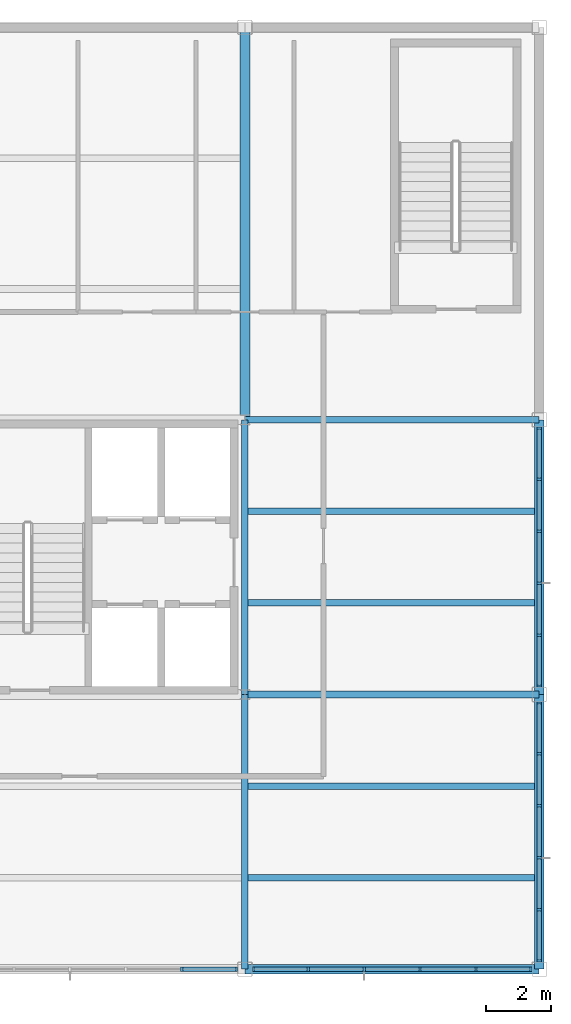
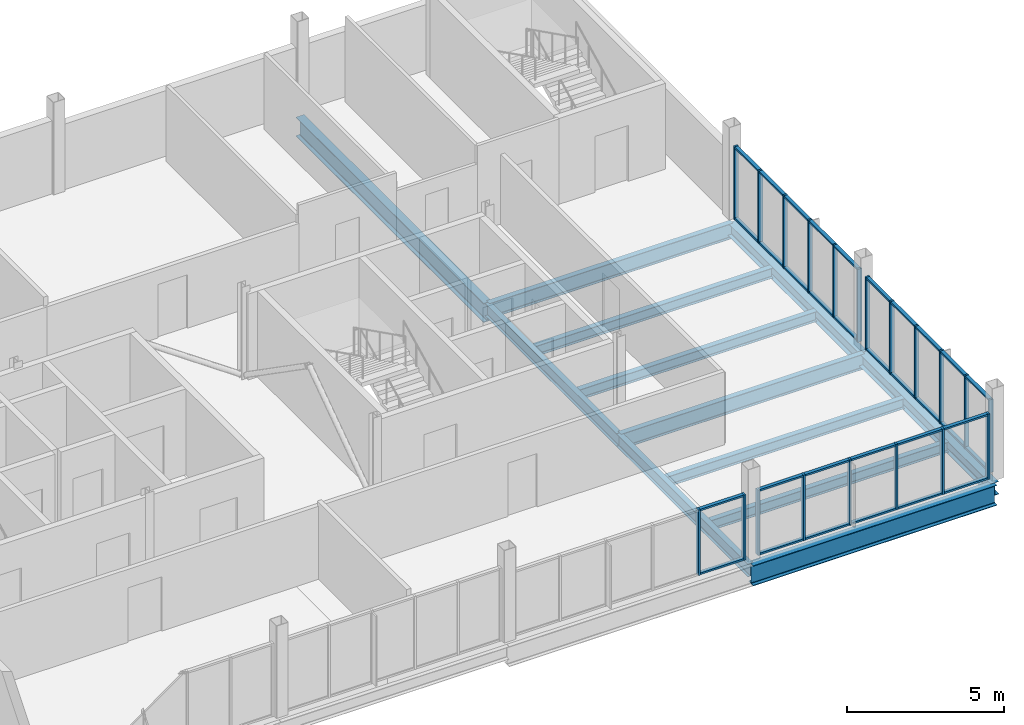
# One storey, part 6 of 14: 52 members, 12 beams, 4 elements without a shape of their own.
"""IFC4 building model written with IfcOpenShell, lengths in metres."""

from ifc_helpers import new_model, si_unit, direction, frame, origin, origin_2d, place, context, subcontext, project, spatial, rectangle, i_section, extrude, material, layer, layer_set, material_profile, profile_set, type_object, element, aggregate, save


model = new_model("IFC4")

# Units and contexts
model_context = context("Model", 3, precision=1e-05, world=origin(), true_north=direction((0.0, 1.0)))
body_context = subcontext(model_context, "Body", "Model", "MODEL_VIEW")
ifc_project = project(units=[si_unit("LENGTHUNIT", "METRE"), si_unit("AREAUNIT", "SQUARE_METRE"), si_unit("VOLUMEUNIT", "CUBIC_METRE"), si_unit("PLANEANGLEUNIT", "RADIAN"), si_unit("MASSUNIT", "GRAM", prefix="KILO")], contexts=[model_context])

# Site, building, storey
site_placement = place(None, origin())
site = spatial("IfcSite", under=ifc_project, at=site_placement, CompositionType="ELEMENT")
building_placement = place(site_placement, origin())
building = spatial("IfcBuilding", under=site, at=building_placement, Name="Yukiwa Park Conservatory and Herbarium", CompositionType="ELEMENT")
storey_placement = place(building_placement, frame((0.0, 0.0, 50.39990234375)))
storey = spatial("IfcBuildingStorey", under=building, at=storey_placement, Name="L13", CompositionType="ELEMENT", Elevation=50.39990234375)

# Beams
ifc_material_1 = material(Name="Steel Q355D", Category="steel")
ifc_material_profile_1 = material_profile(ifc_material_1, i_section(OverallWidth=0.199951171875, OverallDepth=0.5, WebThickness=0.010009765625, FlangeThickness=0.01611328125, FilletRadius=0.02001953125, at=origin_2d()), Name="HN 500x200x10x16")
ifc_profile_set_1 = profile_set([ifc_material_profile_1], Name="Steel Q355D")
beam_type_1 = type_object("IfcBeamType", Name="BM-GRD-HN500", PredefinedType="BEAM", material=ifc_profile_set_1)
beam_1_placement = place(storey_placement, frame((159.0, 86.406005859375, -0.511962890625), z_axis=(0.0, 1.0, 0.0), x_axis=(-1.0, 0.0, 0.0)))
element("IfcBeam", 1, at=beam_1_placement, inside=storey, type_object=beam_type_1, Name="L13 grid girder Y-32", PredefinedType="BEAM", context=body_context, shape_type="SweptSolid", body=[
    extrude(i_section(OverallWidth=0.199951171875, OverallDepth=0.5, WebThickness=0.010009765625, FlangeThickness=0.01611328125, FilletRadius=0.02001953125, at=origin_2d()), origin(), (0.0, 0.0, 1.0), 8.387939453125),
])
beam_2_placement = place(storey_placement, frame((159.0, 94.805908203125, -0.511962890625), z_axis=(0.0, 1.0, 0.0), x_axis=(-1.0, 0.0, 0.0)))
element("IfcBeam", 2, at=beam_2_placement, inside=storey, type_object=beam_type_1, Name="L13 grid girder Y-33", PredefinedType="BEAM", context=body_context, shape_type="SweptSolid", body=[
    extrude(i_section(OverallWidth=0.199951171875, OverallDepth=0.5, WebThickness=0.010009765625, FlangeThickness=0.01611328125, FilletRadius=0.02001953125, at=origin_2d()), origin(), (0.0, 0.0, 1.0), 8.38818359375),
])
ifc_material_2 = material(Name="Steel Q355D", Category="steel")
ifc_material_profile_2 = material_profile(ifc_material_2, i_section(OverallWidth=0.198974609375, OverallDepth=0.595947265625, WebThickness=0.010009765625, FlangeThickness=0.014892578125, FilletRadius=0.02197265625, at=origin_2d()), Name="HN 596x199x10x15")
ifc_profile_set_2 = profile_set([ifc_material_profile_2], Name="Steel Q355D")
beam_type_2 = type_object("IfcBeamType", Name="BM-GRD-HN596", PredefinedType="BEAM", material=ifc_profile_set_2)
for number, where, z_axis, x_axis, name in (
    (3, (159.006103515625, 94.800048828125, -0.559814453125), (1.0, 0.0, 0.0), (0.0, 1.0, 0.0), "L13 grid beam X-10"),
    (4, (159.006103515625, 103.199951171875, -0.559814453125), (1.0, 0.0, 0.0), (0.0, 1.0, 0.0), "L13 grid beam X-15"),
):
    element("IfcBeam", number, at=place(storey_placement, frame(where, z_axis=z_axis, x_axis=x_axis)), inside=storey, type_object=beam_type_2, Name=name, PredefinedType="BEAM", context=body_context, shape_type="SweptSolid", body=[
        extrude(i_section(OverallWidth=0.198974609375, OverallDepth=0.595947265625, WebThickness=0.010009765625, FlangeThickness=0.014892578125, FilletRadius=0.02197265625, at=origin_2d()), origin(), (0.0, 0.0, 1.0), 8.98779296875),
    ])
ifc_material_3 = material(Name="Steel Q355D", Category="steel")
ifc_material_profile_3 = material_profile(ifc_material_3, i_section(OverallWidth=0.300048828125, OverallDepth=0.75, WebThickness=0.012939453125, FlangeThickness=0.02392578125, FilletRadius=0.028076171875, at=origin_2d()), Name="HN 750x300x13x24")
ifc_profile_set_3 = profile_set([ifc_material_profile_3], Name="Steel Q355D")
beam_type_3 = type_object("IfcBeamType", Name="BM-GRD-HN750", PredefinedType="BEAM", material=ifc_profile_set_3)
beam_3_placement = place(storey_placement, frame((159.0, 103.2060546875, -0.636962890625), z_axis=(0.0, 1.0, 0.0), x_axis=(-1.0, 0.0, 0.0)))
element("IfcBeam", 5, at=beam_3_placement, inside=storey, type_object=beam_type_3, Name="L13 grid girder Y-34", PredefinedType="BEAM", context=body_context, shape_type="SweptSolid", body=[
    extrude(i_section(OverallWidth=0.300048828125, OverallDepth=0.75, WebThickness=0.012939453125, FlangeThickness=0.02392578125, FilletRadius=0.028076171875, at=origin_2d()), origin(), (0.0, 0.0, 1.0), 11.988037109375),
])
ifc_material_4 = material(Name="Steel Q355D", Category="steel")
ifc_material_profile_4 = material_profile(ifc_material_4, i_section(OverallWidth=0.199951171875, OverallDepth=0.39990234375, WebThickness=0.008056640625, FlangeThickness=0.012939453125, FilletRadius=0.01611328125, at=origin_2d()), Name="HN 400x200x8x13")
ifc_profile_set_4 = profile_set([ifc_material_profile_4], Name="Steel Q355D")
beam_type_4 = type_object("IfcBeamType", Name="BM-JST-HN400", PredefinedType="JOIST", material=ifc_profile_set_4)
for number, where, z_axis, x_axis, name in (
    (6, (159.095947265625, 89.199951171875, -0.4619140625), (1.0, 0.0, 0.0), (0.0, 1.0, 0.0), "L13 composite floor joist 19"),
    (7, (159.095947265625, 92.0, -0.4619140625), (1.0, 0.0, 0.0), (0.0, 1.0, 0.0), "L13 composite floor joist 20"),
    (8, (159.095947265625, 97.60009765625, -0.4619140625), (1.0, 0.0, 0.0), (0.0, 1.0, 0.0), "L13 composite floor joist 21"),
    (9, (159.095947265625, 100.39990234375, -0.4619140625), (1.0, 0.0, 0.0), (0.0, 1.0, 0.0), "L13 composite floor joist 22"),
):
    element("IfcBeam", number, at=place(storey_placement, frame(where, z_axis=z_axis, x_axis=x_axis)), inside=storey, type_object=beam_type_4, Name=name, PredefinedType="JOIST", context=body_context, shape_type="SweptSolid", body=[
        extrude(i_section(OverallWidth=0.199951171875, OverallDepth=0.39990234375, WebThickness=0.008056640625, FlangeThickness=0.012939453125, FilletRadius=0.01611328125, at=origin_2d()), origin(), (0.0, 0.0, 1.0), 8.758056640625),
    ])
ifc_material_5 = material(Name="Steel Q355D", Category="steel")
ifc_material_profile_5 = material_profile(ifc_material_5, i_section(OverallWidth=0.300048828125, OverallDepth=0.5, WebThickness=0.010986328125, FlangeThickness=0.01806640625, FilletRadius=0.02392578125, at=origin_2d()), Name="HM 500x300x11x18")
ifc_profile_set_5 = profile_set([ifc_material_profile_5], Name="Steel Q355D")
beam_type_5 = type_object("IfcBeamType", Name="BM-SPN-HN500", PredefinedType="SPANDREL", material=ifc_profile_set_5)
beam_4_placement = place(storey_placement, frame((168.0, 86.406005859375, -0.511962890625), z_axis=(0.0, 1.0, 0.0), x_axis=(-1.0, 0.0, 0.0)))
element("IfcBeam", 10, at=beam_4_placement, inside=storey, type_object=beam_type_5, Name="L13 spandrel girder Y-35", PredefinedType="SPANDREL", context=body_context, shape_type="SweptSolid", body=[
    extrude(i_section(OverallWidth=0.300048828125, OverallDepth=0.5, WebThickness=0.010986328125, FlangeThickness=0.01806640625, FilletRadius=0.02392578125, at=origin_2d()), origin(), (0.0, 0.0, 1.0), 8.387939453125),
])
beam_5_placement = place(storey_placement, frame((168.0, 94.805908203125, -0.511962890625), z_axis=(0.0, 1.0, 0.0), x_axis=(-1.0, 0.0, 0.0)))
element("IfcBeam", 11, at=beam_5_placement, inside=storey, type_object=beam_type_5, Name="L13 spandrel girder Y-36", PredefinedType="SPANDREL", context=body_context, shape_type="SweptSolid", body=[
    extrude(i_section(OverallWidth=0.300048828125, OverallDepth=0.5, WebThickness=0.010986328125, FlangeThickness=0.01806640625, FilletRadius=0.02392578125, at=origin_2d()), origin(), (0.0, 0.0, 1.0), 8.38818359375),
])
ifc_material_6 = material(Name="Steel Q355D", Category="steel")
ifc_material_profile_6 = material_profile(ifc_material_6, i_section(OverallWidth=0.300048828125, OverallDepth=0.7919921875, WebThickness=0.013916015625, FlangeThickness=0.02197265625, FilletRadius=0.028076171875, at=origin_2d()), Name="HN 792x300x14x22")
ifc_profile_set_6 = profile_set([ifc_material_profile_6], Name="Steel Q355D")
beam_type_6 = type_object("IfcBeamType", Name="BM-SPN-HN600", PredefinedType="SPANDREL", material=ifc_profile_set_6)
beam_6_placement = place(storey_placement, frame((159.006103515625, 86.39990234375, -0.657958984375), z_axis=(1.0, 0.0, 0.0), x_axis=(0.0, 1.0, 0.0)))
element("IfcBeam", 12, at=beam_6_placement, inside=storey, type_object=beam_type_6, Name="L13 spandrel beam X-5", PredefinedType="SPANDREL", context=body_context, shape_type="SweptSolid", body=[
    extrude(i_section(OverallWidth=0.300048828125, OverallDepth=0.7919921875, WebThickness=0.013916015625, FlangeThickness=0.02197265625, FilletRadius=0.028076171875, at=origin_2d()), origin(), (0.0, 0.0, 1.0), 8.98779296875),
])

# Curtain wall, members
ifc_material_7 = material(Name="Triple Low-E Insulated Glass", Category="glass")
ifc_layer = layer(ifc_material_7, 0.27197265625)
ifc_layer_set = layer_set([ifc_layer], Name="Triple Low-E Insulated Glass")
curtain_wall_type = type_object("IfcCurtainWallType", Name="CW-TOWER-LIB-1600", PredefinedType="NOTDEFINED", material=ifc_layer_set)
curtain_wall_1_placement = place(storey_placement, origin())
curtain_wall_1 = element("IfcCurtainWall", 13, at=curtain_wall_1_placement, inside=storey, type_object=curtain_wall_type, Name="L13 unitised curtain wall CW-L13-126", PredefinedType="NOTDEFINED")
ifc_material_8 = material(Name="Anodised Aluminium", Category="aluminium")
member_type_1 = type_object("IfcMemberType", Name="MB-CW-MUL-70X150", PredefinedType="MULLION", material=ifc_material_8)
member_1_placement = place(storey_placement, frame((168.0, 86.659912109375, 0.0), z_axis=(0.0, 0.0, 1.0), x_axis=(0.0, 1.0, 0.0)))
member_1 = element("IfcMember", 14, at=member_1_placement, type_object=member_type_1, Name="CW-L13-126 mullion 1", PredefinedType="MULLION", context=body_context, shape_type="SweptSolid", body=[
    extrude(rectangle(XDim=0.070068359375, YDim=0.14990234375, at=origin_2d()), origin(), (0.0, 0.0, 1.0), 2.845947265625),
])
member_2_placement = place(storey_placement, frame((168.0, 88.215087890625, 0.0), z_axis=(0.0, 0.0, 1.0), x_axis=(0.0, 1.0, 0.0)))
member_2 = element("IfcMember", 15, at=member_2_placement, type_object=member_type_1, Name="CW-L13-126 mullion 2", PredefinedType="MULLION", context=body_context, shape_type="SweptSolid", body=[
    extrude(rectangle(XDim=0.070068359375, YDim=0.14990234375, at=origin_2d()), origin(), (0.0, 0.0, 1.0), 2.845947265625),
])
member_3_placement = place(storey_placement, frame((168.0, 89.804931640625, 0.0), z_axis=(0.0, 0.0, 1.0), x_axis=(0.0, 1.0, 0.0)))
member_3 = element("IfcMember", 16, at=member_3_placement, type_object=member_type_1, Name="CW-L13-126 mullion 3", PredefinedType="MULLION", context=body_context, shape_type="SweptSolid", body=[
    extrude(rectangle(XDim=0.070068359375, YDim=0.14990234375, at=origin_2d()), origin(), (0.0, 0.0, 1.0), 2.845947265625),
])
member_4_placement = place(storey_placement, frame((168.0, 91.39501953125, 0.0), z_axis=(0.0, 0.0, 1.0), x_axis=(0.0, 1.0, 0.0)))
member_4 = element("IfcMember", 17, at=member_4_placement, type_object=member_type_1, Name="CW-L13-126 mullion 4", PredefinedType="MULLION", context=body_context, shape_type="SweptSolid", body=[
    extrude(rectangle(XDim=0.070068359375, YDim=0.14990234375, at=origin_2d()), origin(), (0.0, 0.0, 1.0), 2.845947265625),
])
member_5_placement = place(storey_placement, frame((168.0, 92.985107421875, 0.0), z_axis=(0.0, 0.0, 1.0), x_axis=(0.0, 1.0, 0.0)))
member_5 = element("IfcMember", 18, at=member_5_placement, type_object=member_type_1, Name="CW-L13-126 mullion 5", PredefinedType="MULLION", context=body_context, shape_type="SweptSolid", body=[
    extrude(rectangle(XDim=0.070068359375, YDim=0.14990234375, at=origin_2d()), origin(), (0.0, 0.0, 1.0), 2.845947265625),
])
member_6_placement = place(storey_placement, frame((168.0, 94.5400390625, 0.0), z_axis=(0.0, 0.0, 1.0), x_axis=(0.0, 1.0, 0.0)))
member_6 = element("IfcMember", 19, at=member_6_placement, type_object=member_type_1, Name="CW-L13-126 mullion 6", PredefinedType="MULLION", context=body_context, shape_type="SweptSolid", body=[
    extrude(rectangle(XDim=0.070068359375, YDim=0.14990234375, at=origin_2d()), origin(), (0.0, 0.0, 1.0), 2.845947265625),
])

curtain_wall_2_placement = place(storey_placement, origin())
curtain_wall_2 = element("IfcCurtainWall", 20, at=curtain_wall_2_placement, inside=storey, type_object=curtain_wall_type, Name="L13 unitised curtain wall CW-L13-127", PredefinedType="NOTDEFINED")
member_7_placement = place(storey_placement, frame((168.0, 95.06005859375, 0.0), z_axis=(0.0, 0.0, 1.0), x_axis=(0.0, 1.0, 0.0)))
member_7 = element("IfcMember", 21, at=member_7_placement, type_object=member_type_1, Name="CW-L13-127 mullion 1", PredefinedType="MULLION", context=body_context, shape_type="SweptSolid", body=[
    extrude(rectangle(XDim=0.070068359375, YDim=0.14990234375, at=origin_2d()), origin(), (0.0, 0.0, 1.0), 2.845947265625),
])
member_8_placement = place(storey_placement, frame((168.0, 96.614990234375, 0.0), z_axis=(0.0, 0.0, 1.0), x_axis=(0.0, 1.0, 0.0)))
member_8 = element("IfcMember", 22, at=member_8_placement, type_object=member_type_1, Name="CW-L13-127 mullion 2", PredefinedType="MULLION", context=body_context, shape_type="SweptSolid", body=[
    extrude(rectangle(XDim=0.070068359375, YDim=0.14990234375, at=origin_2d()), origin(), (0.0, 0.0, 1.0), 2.845947265625),
])
member_9_placement = place(storey_placement, frame((168.0, 98.205078125, 0.0), z_axis=(0.0, 0.0, 1.0), x_axis=(0.0, 1.0, 0.0)))
member_9 = element("IfcMember", 23, at=member_9_placement, type_object=member_type_1, Name="CW-L13-127 mullion 3", PredefinedType="MULLION", context=body_context, shape_type="SweptSolid", body=[
    extrude(rectangle(XDim=0.070068359375, YDim=0.14990234375, at=origin_2d()), origin(), (0.0, 0.0, 1.0), 2.845947265625),
])
member_10_placement = place(storey_placement, frame((168.0, 99.794921875, 0.0), z_axis=(0.0, 0.0, 1.0), x_axis=(0.0, 1.0, 0.0)))
member_10 = element("IfcMember", 24, at=member_10_placement, type_object=member_type_1, Name="CW-L13-127 mullion 4", PredefinedType="MULLION", context=body_context, shape_type="SweptSolid", body=[
    extrude(rectangle(XDim=0.070068359375, YDim=0.14990234375, at=origin_2d()), origin(), (0.0, 0.0, 1.0), 2.845947265625),
])
member_11_placement = place(storey_placement, frame((168.0, 101.385009765625, 0.0), z_axis=(0.0, 0.0, 1.0), x_axis=(0.0, 1.0, 0.0)))
member_11 = element("IfcMember", 25, at=member_11_placement, type_object=member_type_1, Name="CW-L13-127 mullion 5", PredefinedType="MULLION", context=body_context, shape_type="SweptSolid", body=[
    extrude(rectangle(XDim=0.070068359375, YDim=0.14990234375, at=origin_2d()), origin(), (0.0, 0.0, 1.0), 2.845947265625),
])
member_12_placement = place(storey_placement, frame((168.0, 102.93994140625, 0.0), z_axis=(0.0, 0.0, 1.0), x_axis=(0.0, 1.0, 0.0)))
member_12 = element("IfcMember", 26, at=member_12_placement, type_object=member_type_1, Name="CW-L13-127 mullion 6", PredefinedType="MULLION", context=body_context, shape_type="SweptSolid", body=[
    extrude(rectangle(XDim=0.070068359375, YDim=0.14990234375, at=origin_2d()), origin(), (0.0, 0.0, 1.0), 2.845947265625),
])

curtain_wall_3_placement = place(storey_placement, origin())
curtain_wall_3 = element("IfcCurtainWall", 27, at=curtain_wall_3_placement, inside=storey, type_object=curtain_wall_type, Name="L13 unitised curtain wall CW-L13-131", PredefinedType="NOTDEFINED")
member_13_placement = place(storey_placement, frame((157.06494140625, 86.39990234375, 0.0), z_axis=(0.0, 0.0, 1.0), x_axis=(1.0, 0.0, 0.0)))
member_13 = element("IfcMember", 28, at=member_13_placement, type_object=member_type_1, Name="CW-L13-131 mullion 5", PredefinedType="MULLION", context=body_context, shape_type="SweptSolid", body=[
    extrude(rectangle(XDim=0.070068359375, YDim=0.14990234375, at=origin_2d()), origin(), (0.0, 0.0, 1.0), 2.553955078125),
])
member_14_placement = place(storey_placement, frame((158.739990234375, 86.39990234375, 0.0), z_axis=(0.0, 0.0, 1.0), x_axis=(1.0, 0.0, 0.0)))
member_14 = element("IfcMember", 29, at=member_14_placement, type_object=member_type_1, Name="CW-L13-131 mullion 6", PredefinedType="MULLION", context=body_context, shape_type="SweptSolid", body=[
    extrude(rectangle(XDim=0.070068359375, YDim=0.14990234375, at=origin_2d()), origin(), (0.0, 0.0, 1.0), 2.553955078125),
])

curtain_wall_4_placement = place(storey_placement, origin())
curtain_wall_4 = element("IfcCurtainWall", 30, at=curtain_wall_4_placement, inside=storey, type_object=curtain_wall_type, Name="L13 unitised curtain wall CW-L13-132", PredefinedType="NOTDEFINED")
member_15_placement = place(storey_placement, frame((159.260009765625, 86.39990234375, 0.0), z_axis=(0.0, 0.0, 1.0), x_axis=(1.0, 0.0, 0.0)))
member_15 = element("IfcMember", 31, at=member_15_placement, type_object=member_type_1, Name="CW-L13-132 mullion 1", PredefinedType="MULLION", context=body_context, shape_type="SweptSolid", body=[
    extrude(rectangle(XDim=0.070068359375, YDim=0.14990234375, at=origin_2d()), origin(), (0.0, 0.0, 1.0), 2.553955078125),
])
member_16_placement = place(storey_placement, frame((160.93505859375, 86.39990234375, 0.0), z_axis=(0.0, 0.0, 1.0), x_axis=(1.0, 0.0, 0.0)))
member_16 = element("IfcMember", 32, at=member_16_placement, type_object=member_type_1, Name="CW-L13-132 mullion 2", PredefinedType="MULLION", context=body_context, shape_type="SweptSolid", body=[
    extrude(rectangle(XDim=0.070068359375, YDim=0.14990234375, at=origin_2d()), origin(), (0.0, 0.0, 1.0), 2.553955078125),
])
member_17_placement = place(storey_placement, frame((162.64501953125, 86.39990234375, 0.0), z_axis=(0.0, 0.0, 1.0), x_axis=(1.0, 0.0, 0.0)))
member_17 = element("IfcMember", 33, at=member_17_placement, type_object=member_type_1, Name="CW-L13-132 mullion 3", PredefinedType="MULLION", context=body_context, shape_type="SweptSolid", body=[
    extrude(rectangle(XDim=0.070068359375, YDim=0.14990234375, at=origin_2d()), origin(), (0.0, 0.0, 1.0), 2.553955078125),
])
member_18_placement = place(storey_placement, frame((164.35498046875, 86.39990234375, 0.0), z_axis=(0.0, 0.0, 1.0), x_axis=(1.0, 0.0, 0.0)))
member_18 = element("IfcMember", 34, at=member_18_placement, type_object=member_type_1, Name="CW-L13-132 mullion 4", PredefinedType="MULLION", context=body_context, shape_type="SweptSolid", body=[
    extrude(rectangle(XDim=0.070068359375, YDim=0.14990234375, at=origin_2d()), origin(), (0.0, 0.0, 1.0), 2.553955078125),
])
member_19_placement = place(storey_placement, frame((166.06494140625, 86.39990234375, 0.0), z_axis=(0.0, 0.0, 1.0), x_axis=(1.0, 0.0, 0.0)))
member_19 = element("IfcMember", 35, at=member_19_placement, type_object=member_type_1, Name="CW-L13-132 mullion 5", PredefinedType="MULLION", context=body_context, shape_type="SweptSolid", body=[
    extrude(rectangle(XDim=0.070068359375, YDim=0.14990234375, at=origin_2d()), origin(), (0.0, 0.0, 1.0), 2.553955078125),
])
member_20_placement = place(storey_placement, frame((167.739990234375, 86.39990234375, 0.0), z_axis=(0.0, 0.0, 1.0), x_axis=(1.0, 0.0, 0.0)))
member_20 = element("IfcMember", 36, at=member_20_placement, type_object=member_type_1, Name="CW-L13-132 mullion 6", PredefinedType="MULLION", context=body_context, shape_type="SweptSolid", body=[
    extrude(rectangle(XDim=0.070068359375, YDim=0.14990234375, at=origin_2d()), origin(), (0.0, 0.0, 1.0), 2.553955078125),
])

# Member
ifc_material_9 = material(Name="Anodised Aluminium", Category="aluminium")
member_type_2 = type_object("IfcMemberType", Name="MB-CW-TRN-70X130", PredefinedType="USERDEFINED", material=ifc_material_9)
member_21_placement = place(storey_placement, frame((168.0, 87.419921875, 0.0), z_axis=(0.0, 0.0, 1.0), x_axis=(0.0, 1.0, 0.0)))
member_21 = element("IfcMember", 37, at=member_21_placement, type_object=member_type_2, Name="CW-L13-126 transom 1.1", ObjectType="TRANSOM", PredefinedType="USERDEFINED", context=body_context, shape_type="SweptSolid", body=[
    extrude(rectangle(XDim=1.52001953125, YDim=0.1298828125, at=origin_2d()), origin(), (0.0, 0.0, 1.0), 0.070068359375),
])

member_22_placement = place(storey_placement, frame((168.0, 87.419921875, 2.77587890625), z_axis=(0.0, 0.0, 1.0), x_axis=(0.0, 1.0, 0.0)))
member_22 = element("IfcMember", 38, at=member_22_placement, type_object=member_type_2, Name="CW-L13-126 transom 1.2", ObjectType="TRANSOM", PredefinedType="USERDEFINED", context=body_context, shape_type="SweptSolid", body=[
    extrude(rectangle(XDim=1.52001953125, YDim=0.1298828125, at=origin_2d()), origin(), (0.0, 0.0, 1.0), 0.070068359375),
])

member_23_placement = place(storey_placement, frame((168.0, 89.010009765625, 0.0), z_axis=(0.0, 0.0, 1.0), x_axis=(0.0, 1.0, 0.0)))
member_23 = element("IfcMember", 39, at=member_23_placement, type_object=member_type_2, Name="CW-L13-126 transom 2.1", ObjectType="TRANSOM", PredefinedType="USERDEFINED", context=body_context, shape_type="SweptSolid", body=[
    extrude(rectangle(XDim=1.52001953125, YDim=0.1298828125, at=origin_2d()), origin(), (0.0, 0.0, 1.0), 0.070068359375),
])

member_24_placement = place(storey_placement, frame((168.0, 89.010009765625, 2.77587890625), z_axis=(0.0, 0.0, 1.0), x_axis=(0.0, 1.0, 0.0)))
member_24 = element("IfcMember", 40, at=member_24_placement, type_object=member_type_2, Name="CW-L13-126 transom 2.2", ObjectType="TRANSOM", PredefinedType="USERDEFINED", context=body_context, shape_type="SweptSolid", body=[
    extrude(rectangle(XDim=1.52001953125, YDim=0.1298828125, at=origin_2d()), origin(), (0.0, 0.0, 1.0), 0.070068359375),
])

member_25_placement = place(storey_placement, frame((168.0, 90.60009765625, 0.0), z_axis=(0.0, 0.0, 1.0), x_axis=(0.0, 1.0, 0.0)))
member_25 = element("IfcMember", 41, at=member_25_placement, type_object=member_type_2, Name="CW-L13-126 transom 3.1", ObjectType="TRANSOM", PredefinedType="USERDEFINED", context=body_context, shape_type="SweptSolid", body=[
    extrude(rectangle(XDim=1.52001953125, YDim=0.1298828125, at=origin_2d()), origin(), (0.0, 0.0, 1.0), 0.070068359375),
])

member_26_placement = place(storey_placement, frame((168.0, 90.60009765625, 2.77587890625), z_axis=(0.0, 0.0, 1.0), x_axis=(0.0, 1.0, 0.0)))
member_26 = element("IfcMember", 42, at=member_26_placement, type_object=member_type_2, Name="CW-L13-126 transom 3.2", ObjectType="TRANSOM", PredefinedType="USERDEFINED", context=body_context, shape_type="SweptSolid", body=[
    extrude(rectangle(XDim=1.52001953125, YDim=0.1298828125, at=origin_2d()), origin(), (0.0, 0.0, 1.0), 0.070068359375),
])

member_27_placement = place(storey_placement, frame((168.0, 92.18994140625, 0.0), z_axis=(0.0, 0.0, 1.0), x_axis=(0.0, 1.0, 0.0)))
member_27 = element("IfcMember", 43, at=member_27_placement, type_object=member_type_2, Name="CW-L13-126 transom 4.1", ObjectType="TRANSOM", PredefinedType="USERDEFINED", context=body_context, shape_type="SweptSolid", body=[
    extrude(rectangle(XDim=1.52001953125, YDim=0.1298828125, at=origin_2d()), origin(), (0.0, 0.0, 1.0), 0.070068359375),
])

member_28_placement = place(storey_placement, frame((168.0, 92.18994140625, 2.77587890625), z_axis=(0.0, 0.0, 1.0), x_axis=(0.0, 1.0, 0.0)))
member_28 = element("IfcMember", 44, at=member_28_placement, type_object=member_type_2, Name="CW-L13-126 transom 4.2", ObjectType="TRANSOM", PredefinedType="USERDEFINED", context=body_context, shape_type="SweptSolid", body=[
    extrude(rectangle(XDim=1.52001953125, YDim=0.1298828125, at=origin_2d()), origin(), (0.0, 0.0, 1.0), 0.070068359375),
])

member_29_placement = place(storey_placement, frame((168.0, 93.780029296875, 0.0), z_axis=(0.0, 0.0, 1.0), x_axis=(0.0, 1.0, 0.0)))
member_29 = element("IfcMember", 45, at=member_29_placement, type_object=member_type_2, Name="CW-L13-126 transom 5.1", ObjectType="TRANSOM", PredefinedType="USERDEFINED", context=body_context, shape_type="SweptSolid", body=[
    extrude(rectangle(XDim=1.52001953125, YDim=0.1298828125, at=origin_2d()), origin(), (0.0, 0.0, 1.0), 0.070068359375),
])

member_30_placement = place(storey_placement, frame((168.0, 93.780029296875, 2.77587890625), z_axis=(0.0, 0.0, 1.0), x_axis=(0.0, 1.0, 0.0)))
member_30 = element("IfcMember", 46, at=member_30_placement, type_object=member_type_2, Name="CW-L13-126 transom 5.2", ObjectType="TRANSOM", PredefinedType="USERDEFINED", context=body_context, shape_type="SweptSolid", body=[
    extrude(rectangle(XDim=1.52001953125, YDim=0.1298828125, at=origin_2d()), origin(), (0.0, 0.0, 1.0), 0.070068359375),
])

aggregate(curtain_wall_1, [member_1, member_2, member_3, member_4, member_5, member_6, member_21, member_22, member_23, member_24, member_25, member_26, member_27, member_28, member_29, member_30])

member_31_placement = place(storey_placement, frame((168.0, 95.820068359375, 0.0), z_axis=(0.0, 0.0, 1.0), x_axis=(0.0, 1.0, 0.0)))
member_31 = element("IfcMember", 47, at=member_31_placement, type_object=member_type_2, Name="CW-L13-127 transom 1.1", ObjectType="TRANSOM", PredefinedType="USERDEFINED", context=body_context, shape_type="SweptSolid", body=[
    extrude(rectangle(XDim=1.52001953125, YDim=0.1298828125, at=origin_2d()), origin(), (0.0, 0.0, 1.0), 0.070068359375),
])

member_32_placement = place(storey_placement, frame((168.0, 95.820068359375, 2.77587890625), z_axis=(0.0, 0.0, 1.0), x_axis=(0.0, 1.0, 0.0)))
member_32 = element("IfcMember", 48, at=member_32_placement, type_object=member_type_2, Name="CW-L13-127 transom 1.2", ObjectType="TRANSOM", PredefinedType="USERDEFINED", context=body_context, shape_type="SweptSolid", body=[
    extrude(rectangle(XDim=1.52001953125, YDim=0.1298828125, at=origin_2d()), origin(), (0.0, 0.0, 1.0), 0.070068359375),
])

member_33_placement = place(storey_placement, frame((168.0, 97.409912109375, 0.0), z_axis=(0.0, 0.0, 1.0), x_axis=(0.0, 1.0, 0.0)))
member_33 = element("IfcMember", 49, at=member_33_placement, type_object=member_type_2, Name="CW-L13-127 transom 2.1", ObjectType="TRANSOM", PredefinedType="USERDEFINED", context=body_context, shape_type="SweptSolid", body=[
    extrude(rectangle(XDim=1.52001953125, YDim=0.1298828125, at=origin_2d()), origin(), (0.0, 0.0, 1.0), 0.070068359375),
])

member_34_placement = place(storey_placement, frame((168.0, 97.409912109375, 2.77587890625), z_axis=(0.0, 0.0, 1.0), x_axis=(0.0, 1.0, 0.0)))
member_34 = element("IfcMember", 50, at=member_34_placement, type_object=member_type_2, Name="CW-L13-127 transom 2.2", ObjectType="TRANSOM", PredefinedType="USERDEFINED", context=body_context, shape_type="SweptSolid", body=[
    extrude(rectangle(XDim=1.52001953125, YDim=0.1298828125, at=origin_2d()), origin(), (0.0, 0.0, 1.0), 0.070068359375),
])

member_35_placement = place(storey_placement, frame((168.0, 99.0, 0.0), z_axis=(0.0, 0.0, 1.0), x_axis=(0.0, 1.0, 0.0)))
member_35 = element("IfcMember", 51, at=member_35_placement, type_object=member_type_2, Name="CW-L13-127 transom 3.1", ObjectType="TRANSOM", PredefinedType="USERDEFINED", context=body_context, shape_type="SweptSolid", body=[
    extrude(rectangle(XDim=1.52001953125, YDim=0.1298828125, at=origin_2d()), origin(), (0.0, 0.0, 1.0), 0.070068359375),
])

member_36_placement = place(storey_placement, frame((168.0, 99.0, 2.77587890625), z_axis=(0.0, 0.0, 1.0), x_axis=(0.0, 1.0, 0.0)))
member_36 = element("IfcMember", 52, at=member_36_placement, type_object=member_type_2, Name="CW-L13-127 transom 3.2", ObjectType="TRANSOM", PredefinedType="USERDEFINED", context=body_context, shape_type="SweptSolid", body=[
    extrude(rectangle(XDim=1.52001953125, YDim=0.1298828125, at=origin_2d()), origin(), (0.0, 0.0, 1.0), 0.070068359375),
])

member_37_placement = place(storey_placement, frame((168.0, 100.590087890625, 0.0), z_axis=(0.0, 0.0, 1.0), x_axis=(0.0, 1.0, 0.0)))
member_37 = element("IfcMember", 53, at=member_37_placement, type_object=member_type_2, Name="CW-L13-127 transom 4.1", ObjectType="TRANSOM", PredefinedType="USERDEFINED", context=body_context, shape_type="SweptSolid", body=[
    extrude(rectangle(XDim=1.52001953125, YDim=0.1298828125, at=origin_2d()), origin(), (0.0, 0.0, 1.0), 0.070068359375),
])

member_38_placement = place(storey_placement, frame((168.0, 100.590087890625, 2.77587890625), z_axis=(0.0, 0.0, 1.0), x_axis=(0.0, 1.0, 0.0)))
member_38 = element("IfcMember", 54, at=member_38_placement, type_object=member_type_2, Name="CW-L13-127 transom 4.2", ObjectType="TRANSOM", PredefinedType="USERDEFINED", context=body_context, shape_type="SweptSolid", body=[
    extrude(rectangle(XDim=1.52001953125, YDim=0.1298828125, at=origin_2d()), origin(), (0.0, 0.0, 1.0), 0.070068359375),
])

member_39_placement = place(storey_placement, frame((168.0, 102.179931640625, 0.0), z_axis=(0.0, 0.0, 1.0), x_axis=(0.0, 1.0, 0.0)))
member_39 = element("IfcMember", 55, at=member_39_placement, type_object=member_type_2, Name="CW-L13-127 transom 5.1", ObjectType="TRANSOM", PredefinedType="USERDEFINED", context=body_context, shape_type="SweptSolid", body=[
    extrude(rectangle(XDim=1.52001953125, YDim=0.1298828125, at=origin_2d()), origin(), (0.0, 0.0, 1.0), 0.070068359375),
])

member_40_placement = place(storey_placement, frame((168.0, 102.179931640625, 2.77587890625), z_axis=(0.0, 0.0, 1.0), x_axis=(0.0, 1.0, 0.0)))
member_40 = element("IfcMember", 56, at=member_40_placement, type_object=member_type_2, Name="CW-L13-127 transom 5.2", ObjectType="TRANSOM", PredefinedType="USERDEFINED", context=body_context, shape_type="SweptSolid", body=[
    extrude(rectangle(XDim=1.52001953125, YDim=0.1298828125, at=origin_2d()), origin(), (0.0, 0.0, 1.0), 0.070068359375),
])

aggregate(curtain_wall_2, [member_7, member_8, member_9, member_10, member_11, member_12, member_31, member_32, member_33, member_34, member_35, member_36, member_37, member_38, member_39, member_40])

member_41_placement = place(storey_placement, frame((157.919921875, 86.39990234375, 0.0), z_axis=(0.0, 0.0, 1.0), x_axis=(1.0, 0.0, 0.0)))
member_41 = element("IfcMember", 57, at=member_41_placement, type_object=member_type_2, Name="CW-L13-131 transom 5.1", ObjectType="TRANSOM", PredefinedType="USERDEFINED", context=body_context, shape_type="SweptSolid", body=[
    extrude(rectangle(XDim=1.639892578125, YDim=0.1298828125, at=origin_2d()), origin(), (0.0, 0.0, 1.0), 0.070068359375),
])

member_42_placement = place(storey_placement, frame((157.919921875, 86.39990234375, 2.48388671875), z_axis=(0.0, 0.0, 1.0), x_axis=(1.0, 0.0, 0.0)))
member_42 = element("IfcMember", 58, at=member_42_placement, type_object=member_type_2, Name="CW-L13-131 transom 5.2", ObjectType="TRANSOM", PredefinedType="USERDEFINED", context=body_context, shape_type="SweptSolid", body=[
    extrude(rectangle(XDim=1.639892578125, YDim=0.1298828125, at=origin_2d()), origin(), (0.0, 0.0, 1.0), 0.070068359375),
])

aggregate(curtain_wall_3, [member_13, member_14, member_41, member_42])

member_43_placement = place(storey_placement, frame((160.080078125, 86.39990234375, 0.0), z_axis=(0.0, 0.0, 1.0), x_axis=(1.0, 0.0, 0.0)))
member_43 = element("IfcMember", 59, at=member_43_placement, type_object=member_type_2, Name="CW-L13-132 transom 1.1", ObjectType="TRANSOM", PredefinedType="USERDEFINED", context=body_context, shape_type="SweptSolid", body=[
    extrude(rectangle(XDim=1.639892578125, YDim=0.1298828125, at=origin_2d()), origin(), (0.0, 0.0, 1.0), 0.070068359375),
])

member_44_placement = place(storey_placement, frame((160.080078125, 86.39990234375, 2.48388671875), z_axis=(0.0, 0.0, 1.0), x_axis=(1.0, 0.0, 0.0)))
member_44 = element("IfcMember", 60, at=member_44_placement, type_object=member_type_2, Name="CW-L13-132 transom 1.2", ObjectType="TRANSOM", PredefinedType="USERDEFINED", context=body_context, shape_type="SweptSolid", body=[
    extrude(rectangle(XDim=1.639892578125, YDim=0.1298828125, at=origin_2d()), origin(), (0.0, 0.0, 1.0), 0.070068359375),
])

member_45_placement = place(storey_placement, frame((161.7900390625, 86.39990234375, 0.0), z_axis=(0.0, 0.0, 1.0), x_axis=(1.0, 0.0, 0.0)))
member_45 = element("IfcMember", 61, at=member_45_placement, type_object=member_type_2, Name="CW-L13-132 transom 2.1", ObjectType="TRANSOM", PredefinedType="USERDEFINED", context=body_context, shape_type="SweptSolid", body=[
    extrude(rectangle(XDim=1.639892578125, YDim=0.1298828125, at=origin_2d()), origin(), (0.0, 0.0, 1.0), 0.070068359375),
])

member_46_placement = place(storey_placement, frame((161.7900390625, 86.39990234375, 2.48388671875), z_axis=(0.0, 0.0, 1.0), x_axis=(1.0, 0.0, 0.0)))
member_46 = element("IfcMember", 62, at=member_46_placement, type_object=member_type_2, Name="CW-L13-132 transom 2.2", ObjectType="TRANSOM", PredefinedType="USERDEFINED", context=body_context, shape_type="SweptSolid", body=[
    extrude(rectangle(XDim=1.639892578125, YDim=0.1298828125, at=origin_2d()), origin(), (0.0, 0.0, 1.0), 0.070068359375),
])

member_47_placement = place(storey_placement, frame((163.5, 86.39990234375, 0.0), z_axis=(0.0, 0.0, 1.0), x_axis=(1.0, 0.0, 0.0)))
member_47 = element("IfcMember", 63, at=member_47_placement, type_object=member_type_2, Name="CW-L13-132 transom 3.1", ObjectType="TRANSOM", PredefinedType="USERDEFINED", context=body_context, shape_type="SweptSolid", body=[
    extrude(rectangle(XDim=1.639892578125, YDim=0.1298828125, at=origin_2d()), origin(), (0.0, 0.0, 1.0), 0.070068359375),
])

member_48_placement = place(storey_placement, frame((163.5, 86.39990234375, 2.48388671875), z_axis=(0.0, 0.0, 1.0), x_axis=(1.0, 0.0, 0.0)))
member_48 = element("IfcMember", 64, at=member_48_placement, type_object=member_type_2, Name="CW-L13-132 transom 3.2", ObjectType="TRANSOM", PredefinedType="USERDEFINED", context=body_context, shape_type="SweptSolid", body=[
    extrude(rectangle(XDim=1.639892578125, YDim=0.1298828125, at=origin_2d()), origin(), (0.0, 0.0, 1.0), 0.070068359375),
])

member_49_placement = place(storey_placement, frame((165.2099609375, 86.39990234375, 0.0), z_axis=(0.0, 0.0, 1.0), x_axis=(1.0, 0.0, 0.0)))
member_49 = element("IfcMember", 65, at=member_49_placement, type_object=member_type_2, Name="CW-L13-132 transom 4.1", ObjectType="TRANSOM", PredefinedType="USERDEFINED", context=body_context, shape_type="SweptSolid", body=[
    extrude(rectangle(XDim=1.639892578125, YDim=0.1298828125, at=origin_2d()), origin(), (0.0, 0.0, 1.0), 0.070068359375),
])

member_50_placement = place(storey_placement, frame((165.2099609375, 86.39990234375, 2.48388671875), z_axis=(0.0, 0.0, 1.0), x_axis=(1.0, 0.0, 0.0)))
member_50 = element("IfcMember", 66, at=member_50_placement, type_object=member_type_2, Name="CW-L13-132 transom 4.2", ObjectType="TRANSOM", PredefinedType="USERDEFINED", context=body_context, shape_type="SweptSolid", body=[
    extrude(rectangle(XDim=1.639892578125, YDim=0.1298828125, at=origin_2d()), origin(), (0.0, 0.0, 1.0), 0.070068359375),
])

member_51_placement = place(storey_placement, frame((166.919921875, 86.39990234375, 0.0), z_axis=(0.0, 0.0, 1.0), x_axis=(1.0, 0.0, 0.0)))
member_51 = element("IfcMember", 67, at=member_51_placement, type_object=member_type_2, Name="CW-L13-132 transom 5.1", ObjectType="TRANSOM", PredefinedType="USERDEFINED", context=body_context, shape_type="SweptSolid", body=[
    extrude(rectangle(XDim=1.639892578125, YDim=0.1298828125, at=origin_2d()), origin(), (0.0, 0.0, 1.0), 0.070068359375),
])

member_52_placement = place(storey_placement, frame((166.919921875, 86.39990234375, 2.48388671875), z_axis=(0.0, 0.0, 1.0), x_axis=(1.0, 0.0, 0.0)))
member_52 = element("IfcMember", 68, at=member_52_placement, type_object=member_type_2, Name="CW-L13-132 transom 5.2", ObjectType="TRANSOM", PredefinedType="USERDEFINED", context=body_context, shape_type="SweptSolid", body=[
    extrude(rectangle(XDim=1.639892578125, YDim=0.1298828125, at=origin_2d()), origin(), (0.0, 0.0, 1.0), 0.070068359375),
])

aggregate(curtain_wall_4, [member_15, member_16, member_17, member_18, member_19, member_20, member_43, member_44, member_45, member_46, member_47, member_48, member_49, member_50, member_51, member_52])

save(model, "model.ifc")
